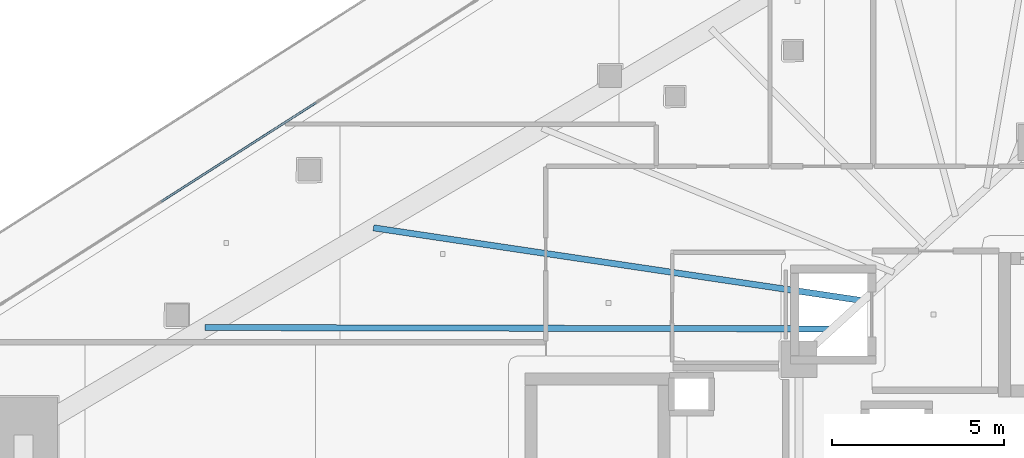
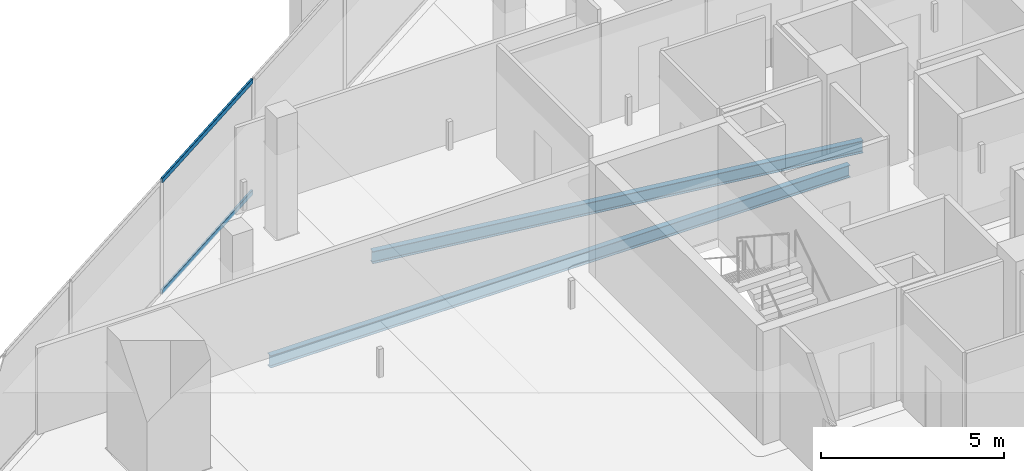
# One storey, part 15 of 45: 2 beams, 2 members, 1 element without a shape of its own.
"""IFC4 building model written with IfcOpenShell, lengths in metres."""

import ifcopenshell
import ifcopenshell.guid

model = None  # the IFC model being written
_history = None  # IfcOwnerHistory: only IFC2X3 demands one
_inside = {}  # id of a spatial element -> (the spatial element, [elements in it])
_under = {}  # id of a project, library or spatial element -> (it, [spatial elements below it])
_declared = {}  # id of a project -> (the project, [libraries it declares])
_typed = {}  # id of a type object -> (the type object, [elements of that type])
_made_of = {}  # id of a material, layer set ... -> (it, [elements and type objects made of it])


def new_model(schema):
    """Start an empty IFC model of exactly this schema.

    Asked for "IFC4X3", IfcOpenShell would pick the latest addendum, in which some entities
    have other attributes; the version numbers below select the first issue.
    IFC2X3 requires an IfcOwnerHistory on every rooted entity: one is made here for all.
    """
    global model, _history
    if schema == "IFC4X3":
        model = ifcopenshell.file(schema_version=(4, 3, 0, 0))
    else:
        model = ifcopenshell.file(schema=schema)
    _inside.clear()
    _under.clear()
    _declared.clear()
    _typed.clear()
    _made_of.clear()
    _history = None
    if model.schema == "IFC2X3":
        org = make("IfcOrganization", Name="unknown")
        user = make(
            "IfcPersonAndOrganization",
            ThePerson=make("IfcPerson", FamilyName="unknown"),
            TheOrganization=org,
        )
        app = make(
            "IfcApplication",
            ApplicationDeveloper=org,
            Version="unknown",
            ApplicationFullName="unknown",
            ApplicationIdentifier="unknown",
        )
        _history = make(
            "IfcOwnerHistory",
            OwningUser=user,
            OwningApplication=app,
            ChangeAction="ADDED",
            CreationDate=0,
        )
    return model


def make(cls, **values):
    """One entity of the class cls with the attributes given. An attribute that is None is left unset."""
    return model.create_entity(
        cls, **{name: value for name, value in values.items() if value is not None}
    )


def rooted(cls, **values):
    """An entity with a GlobalId (a new one), such as an element, a storey or a relation."""
    return make(cls, GlobalId=ifcopenshell.guid.new(), OwnerHistory=_history, **values)


def si_unit(unit_type, name, prefix=None):
    """IfcSIUnit, for example si_unit("LENGTHUNIT", "METRE", prefix="MILLI")."""
    return make("IfcSIUnit", UnitType=unit_type, Prefix=prefix, Name=name)


def assignment(units):
    """IfcUnitAssignment: the units of a project."""
    return None if units is None else make("IfcUnitAssignment", Units=units)


def point(xyz):
    """IfcCartesianPoint."""
    return None if xyz is None else make("IfcCartesianPoint", Coordinates=xyz)


def direction(xyz):
    """IfcDirection."""
    return None if xyz is None else make("IfcDirection", DirectionRatios=xyz)


def frame(location, z_axis=None, x_axis=None):
    """IfcAxis2Placement3D, a coordinate frame: its origin and axes. An axis left out is left unset."""
    return make(
        "IfcAxis2Placement3D",
        Location=point(location),
        Axis=direction(z_axis),
        RefDirection=direction(x_axis),
    )


def frame_2d(location, x_axis=None):
    """IfcAxis2Placement2D, a coordinate frame in the plane: its origin and x axis."""
    return make(
        "IfcAxis2Placement2D", Location=point(location), RefDirection=direction(x_axis)
    )


def origin():
    """The frame at (0, 0, 0) with its axes left unset."""
    return frame((0.0, 0.0, 0.0))


def origin_2d():
    """The frame at (0, 0) in the plane with its x axis left unset."""
    return frame_2d((0.0, 0.0))


def place(relative_to, where):
    """IfcLocalPlacement: puts the frame where relative to a parent placement (None: the world)."""
    return make(
        "IfcLocalPlacement", PlacementRelTo=relative_to, RelativePlacement=where
    )


def context(
    kind, dimensions, precision=None, world=None, true_north=None, identifier=None
):
    """IfcGeometricRepresentationContext, for example the 3D "Model" context."""
    return make(
        "IfcGeometricRepresentationContext",
        ContextIdentifier=identifier,
        ContextType=kind,
        CoordinateSpaceDimension=dimensions,
        Precision=precision,
        WorldCoordinateSystem=world,
        TrueNorth=true_north,
    )


def subcontext(parent, identifier, kind, view, scale=None):
    """IfcGeometricRepresentationSubContext, for example "Body" below "Model"."""
    return make(
        "IfcGeometricRepresentationSubContext",
        ContextIdentifier=identifier,
        ContextType=kind,
        ParentContext=parent,
        TargetScale=scale,
        TargetView=view,
    )


def project(units=None, contexts=None):
    """IfcProject with its units and contexts."""
    return rooted(
        "IfcProject",
        Name="project",
        RepresentationContexts=contexts,
        UnitsInContext=assignment(units),
    )


def spatial(cls, under=None, at=None, **own):
    """A site, building, storey or space (cls), placed at a placement, below another one or the project."""
    s = rooted(cls, ObjectPlacement=at, **own)
    if under is not None:
        _under.setdefault(under.id(), (under, []))[1].append(s)
    return s


def profile(cls, at=None, kind="AREA", **sizes):
    """A parametric profile (cls). Its sizes go by their IFC names, for example OverallWidth=200.0."""
    return make(cls, ProfileType=kind, Position=at, **sizes)


def hollow_rectangle(**sizes):
    """IfcRectangleHollowProfileDef."""
    return profile("IfcRectangleHollowProfileDef", **sizes)


def i_section(**sizes):
    """IfcIShapeProfileDef."""
    return profile("IfcIShapeProfileDef", **sizes)


def extrude(swept, where, along, depth):
    """IfcExtrudedAreaSolid: the profile swept, set in the frame where, extruded along a direction by depth."""
    return make(
        "IfcExtrudedAreaSolid",
        SweptArea=swept,
        Position=where,
        ExtrudedDirection=direction(along),
        Depth=depth,
    )


def shape(context_of_items, identifier, shape_type, items):
    """IfcShapeRepresentation: the items that make up one representation, for example the "Body"."""
    return make(
        "IfcShapeRepresentation",
        ContextOfItems=context_of_items,
        RepresentationIdentifier=identifier,
        RepresentationType=shape_type,
        Items=items,
    )


def material(Name=None, Category=None):
    """IfcMaterial."""
    return make("IfcMaterial", Name=Name, Category=Category)


def layer(
    of_material, thickness, ventilated=None, Name=None, Category=None, Priority=None
):
    """IfcMaterialLayer: one layer of a wall or slab, of a material (None: an air gap)."""
    return make(
        "IfcMaterialLayer",
        Material=of_material,
        LayerThickness=thickness,
        IsVentilated=ventilated,
        Name=Name,
        Category=Category,
        Priority=Priority,
    )


def layer_set(layers, Name=None):
    """IfcMaterialLayerSet."""
    return make("IfcMaterialLayerSet", MaterialLayers=layers, LayerSetName=Name)


def material_profile(
    of_material, cross_section, Name=None, Category=None, Priority=None
):
    """IfcMaterialProfile: a cross section and its material."""
    return make(
        "IfcMaterialProfile",
        Name=Name,
        Material=of_material,
        Profile=cross_section,
        Priority=Priority,
        Category=Category,
    )


def profile_set(profiles, Name=None, composite=None):
    """IfcMaterialProfileSet."""
    return make(
        "IfcMaterialProfileSet",
        Name=Name,
        MaterialProfiles=profiles,
        CompositeProfile=composite,
    )


def made_of(thing, what):
    """Note that an element or type object is made of a material, layer set ...; save() writes the relation."""
    if what is not None:
        _made_of.setdefault(what.id(), (what, []))[1].append(thing)
    return thing


def type_object(cls, material=None, **own):
    """A type object (cls), such as IfcWallType, which elements share."""
    return made_of(rooted(cls, **own), material)


def element(
    cls,
    number,
    at=None,
    inside=None,
    cuts=None,
    type_object=None,
    material=None,
    context=None,
    identifier="Body",
    shape_type=None,
    held_by="IfcProductDefinitionShape",
    body=None,
    shapes=None,
    **own,
):
    """One element of the class cls, such as IfcWall. Its Tag is "e" and its number.

    at: its placement. inside: the storey or other place that contains it. cuts: it is an
    opening in that element (IfcRelVoidsElement). A single representation is given by context,
    identifier, shape_type and body (its items); several are given by shapes. held_by: the class
    of the entity that holds the representations. save() writes the other relations.
    """
    e = rooted(cls, Tag="e%d" % number, ObjectPlacement=at, **own)
    if body is not None:
        shapes = [shape(context, identifier, shape_type, body)]
    if shapes is not None:
        e.Representation = make(held_by, Representations=shapes)
    if inside is not None:
        _inside.setdefault(inside.id(), (inside, []))[1].append(e)
    if cuts is not None:
        rooted(
            "IfcRelVoidsElement", RelatingBuildingElement=cuts, RelatedOpeningElement=e
        )
    if type_object is not None:
        _typed.setdefault(type_object.id(), (type_object, []))[1].append(e)
    return made_of(e, material)


def aggregate(whole, parts):
    """IfcRelAggregates: a whole, such as a stair, and the parts it consists of."""
    return rooted("IfcRelAggregates", RelatingObject=whole, RelatedObjects=parts)


def save(model, path):
    """Write the relations noted so far, then the file.

    IfcRelAggregates (storeys below a building ...), IfcRelContainedInSpatialStructure (elements
    in a storey), IfcRelDefinesByType, IfcRelAssociatesMaterial and IfcRelDeclares: one each for
    every whole, place, type object, material and project.
    """
    for whole, parts in _under.values():
        aggregate(whole, parts)
    for where, things in _inside.values():
        rooted(
            "IfcRelContainedInSpatialStructure",
            RelatedElements=things,
            RelatingStructure=where,
        )
    for kind, things in _typed.values():
        rooted("IfcRelDefinesByType", RelatedObjects=things, RelatingType=kind)
    for what, things in _made_of.values():
        rooted("IfcRelAssociatesMaterial", RelatedObjects=things, RelatingMaterial=what)
    for by, libraries in _declared.values():
        rooted("IfcRelDeclares", RelatingContext=by, RelatedDefinitions=libraries)
    model.write(path)


model = new_model("IFC4")

# Units and contexts
model_context = context("Model", 3, precision=1e-05, world=origin(), true_north=direction((0.0, 1.0)))
body_context = subcontext(model_context, "Body", "Model", "MODEL_VIEW")
ifc_project = project(units=[si_unit("LENGTHUNIT", "METRE"), si_unit("AREAUNIT", "SQUARE_METRE"), si_unit("VOLUMEUNIT", "CUBIC_METRE"), si_unit("PLANEANGLEUNIT", "RADIAN"), si_unit("MASSUNIT", "GRAM", prefix="KILO")], contexts=[model_context])

# Site, building, storey
site_placement = place(None, origin())
site = spatial("IfcSite", under=ifc_project, at=site_placement, CompositionType="ELEMENT")
building_placement = place(site_placement, origin())
building = spatial("IfcBuilding", under=site, at=building_placement, Name="Qorvath Tower", CompositionType="ELEMENT")
storey_placement = place(building_placement, frame((0.0, 0.0, 109.800048828125)))
storey = spatial("IfcBuildingStorey", under=building, at=storey_placement, Name="L24", CompositionType="ELEMENT", Elevation=109.800048828125)

# Beams
ifc_material_1 = material(Name="Steel ASTM A992 Grade 50", Category="steel")
ifc_material_profile_1 = material_profile(ifc_material_1, i_section(OverallWidth=0.177978515625, OverallDepth=0.406005859375, WebThickness=0.0078125, FlangeThickness=0.0126953125, FilletRadius=0.010986328125, at=origin_2d()), Name="W16x40")
ifc_profile_set_1 = profile_set([ifc_material_profile_1], Name="Steel ASTM A992 Grade 50")
beam_type = type_object("IfcBeamType", Name="BM-FJ3", PredefinedType="JOIST", material=ifc_profile_set_1)
beam_1_placement = place(storey_placement, frame((-29.533935546875, 6.031982421875, -0.483154296875), z_axis=(-0.999997589883, 0.002195501951, 0.0), x_axis=(-0.002195501951, -0.999997589883, 0.0)))
element("IfcBeam", 1, at=beam_1_placement, inside=storey, type_object=beam_type, Name="Composite Floor Joist NW1 L24", PredefinedType="JOIST", context=body_context, shape_type="SweptSolid", body=[
    extrude(i_section(OverallWidth=0.177978515625, OverallDepth=0.406005859375, WebThickness=0.0078125, FlangeThickness=0.0126953125, FilletRadius=0.010986328125, at=origin_2d()), origin(), (0.0, 0.0, 1.0), 18.23681640625),
])
beam_2_placement = place(storey_placement, frame((-28.636962890625, 6.85107421875, -0.483154296875), z_axis=(-0.989092860328, 0.147293291256, 0.0), x_axis=(-0.147293291256, -0.989092860328, 0.0)))
element("IfcBeam", 2, at=beam_2_placement, inside=storey, type_object=beam_type, Name="Composite Floor Joist NW2 L24", PredefinedType="JOIST", context=body_context, shape_type="SweptSolid", body=[
    extrude(i_section(OverallWidth=0.177978515625, OverallDepth=0.406005859375, WebThickness=0.0078125, FlangeThickness=0.0126953125, FilletRadius=0.010986328125, at=origin_2d()), origin(), (0.0, 0.0, 1.0), 14.388916015625),
])

# Curtain wall, members
ifc_material_2 = material(Name="Anodised aluminium and triple low-E glass", Category="aluminium")
ifc_layer = layer(ifc_material_2, 0.179931640625)
ifc_layer_set = layer_set([ifc_layer], Name="CW-SYS-2")
curtain_wall_type = type_object("IfcCurtainWallType", Name="CW-SYS-2", PredefinedType="NOTDEFINED", material=ifc_layer_set)
curtain_wall_placement = place(storey_placement, origin())
curtain_wall = element("IfcCurtainWall", 3, at=curtain_wall_placement, inside=storey, type_object=curtain_wall_type, Name="Curtain Wall CW-2 CW-T-L24-16.3", PredefinedType="NOTDEFINED")
ifc_material_3 = material(Name="Anodised aluminium 6063-T6", Category="aluminium")
ifc_material_profile_2 = material_profile(ifc_material_3, hollow_rectangle(XDim=0.06494140625, YDim=0.159912109375, WallThickness=0.00341796875, InnerFilletRadius=0.00341796875, OuterFilletRadius=0.007080078125, at=origin_2d()), Name="CWT 160x65")
ifc_profile_set_2 = profile_set([ifc_material_profile_2], Name="Anodised aluminium 6063-T6")
member_type = type_object("IfcMemberType", Name="CWT-160", PredefinedType="USERDEFINED", material=ifc_profile_set_2)
member_1_placement = place(storey_placement, frame((-44.53564453125, 12.612060546875, 0.032470703125), z_axis=(-0.842612823983, -0.538519850014, 0.0), x_axis=(0.538519850014, -0.842612823983, 0.0)))
member_1 = element("IfcMember", 4, at=member_1_placement, type_object=member_type, Name="CW-2 transom 3.1", ObjectType="TRANSOM", PredefinedType="USERDEFINED", context=body_context, shape_type="SweptSolid", body=[
    extrude(hollow_rectangle(XDim=0.06494140625, YDim=0.159912109375, WallThickness=0.00341796875, InnerFilletRadius=0.00341796875, OuterFilletRadius=0.007080078125, at=origin_2d()), origin(), (0.0, 0.0, 1.0), 5.34765625),
])
member_2_placement = place(storey_placement, frame((-44.53564453125, 12.612060546875, 3.737548828125), z_axis=(-0.842612823983, -0.538519850014, 0.0), x_axis=(0.538519850014, -0.842612823983, 0.0)))
member_2 = element("IfcMember", 5, at=member_2_placement, type_object=member_type, Name="CW-2 transom 3.2", ObjectType="TRANSOM", PredefinedType="USERDEFINED", context=body_context, shape_type="SweptSolid", body=[
    extrude(hollow_rectangle(XDim=0.06494140625, YDim=0.159912109375, WallThickness=0.00341796875, InnerFilletRadius=0.00341796875, OuterFilletRadius=0.007080078125, at=origin_2d()), origin(), (0.0, 0.0, 1.0), 5.34765625),
])
aggregate(curtain_wall, [member_1, member_2])

save(model, "model.ifc")
